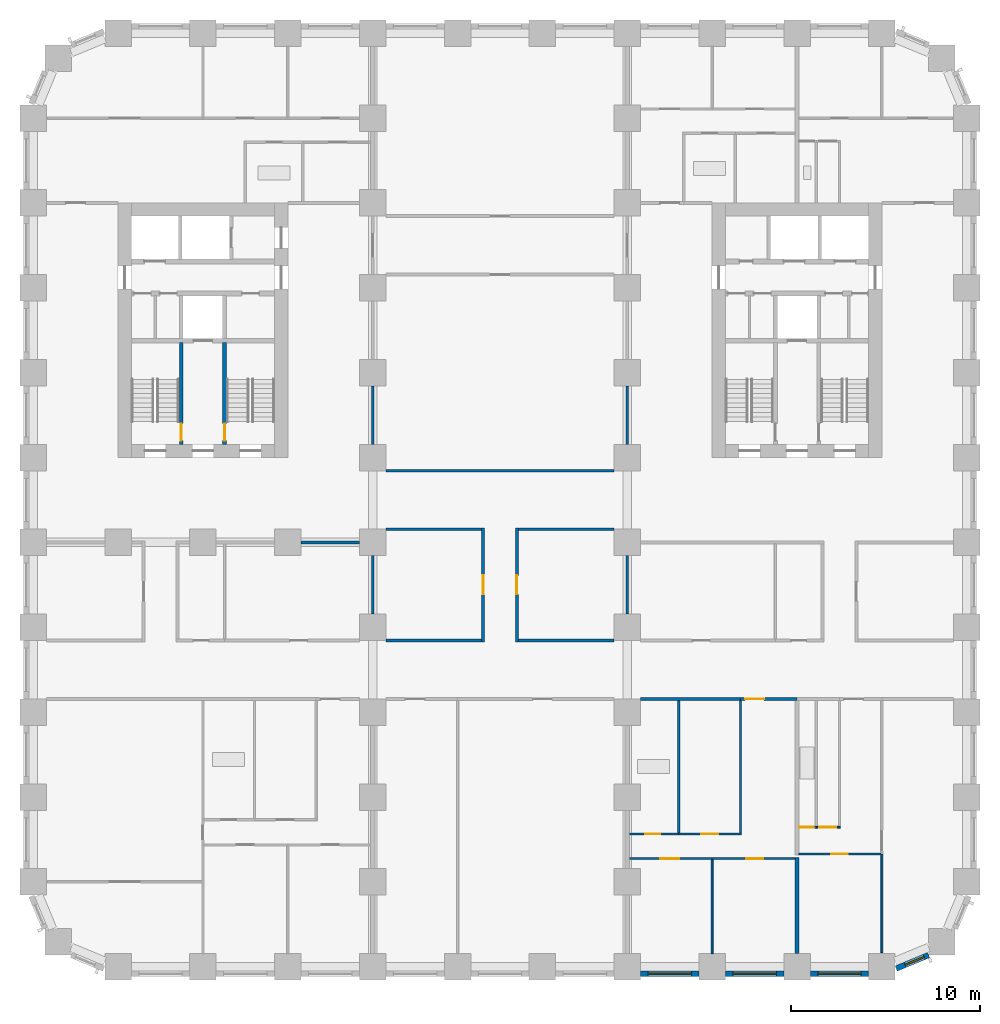
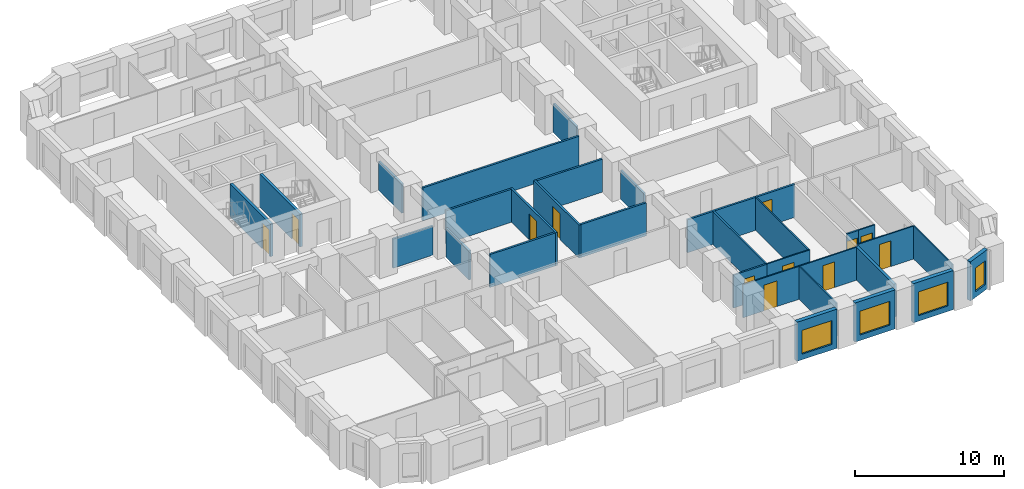
# One storey, part 4 of 12: 32 walls, 12 doors, 4 windows, 16 openings.
"""IFC4 building model written with IfcOpenShell, lengths in metres."""

import ifcopenshell
import ifcopenshell.guid

model = None  # the IFC model being written
_history = None  # IfcOwnerHistory: only IFC2X3 demands one
_inside = {}  # id of a spatial element -> (the spatial element, [elements in it])
_under = {}  # id of a project, library or spatial element -> (it, [spatial elements below it])
_declared = {}  # id of a project -> (the project, [libraries it declares])
_typed = {}  # id of a type object -> (the type object, [elements of that type])
_made_of = {}  # id of a material, layer set ... -> (it, [elements and type objects made of it])


def new_model(schema):
    """Start an empty IFC model of exactly this schema.

    Asked for "IFC4X3", IfcOpenShell would pick the latest addendum, in which some entities
    have other attributes; the version numbers below select the first issue.
    IFC2X3 requires an IfcOwnerHistory on every rooted entity: one is made here for all.
    """
    global model, _history
    if schema == "IFC4X3":
        model = ifcopenshell.file(schema_version=(4, 3, 0, 0))
    else:
        model = ifcopenshell.file(schema=schema)
    _inside.clear()
    _under.clear()
    _declared.clear()
    _typed.clear()
    _made_of.clear()
    _history = None
    if model.schema == "IFC2X3":
        org = make("IfcOrganization", Name="unknown")
        user = make(
            "IfcPersonAndOrganization",
            ThePerson=make("IfcPerson", FamilyName="unknown"),
            TheOrganization=org,
        )
        app = make(
            "IfcApplication",
            ApplicationDeveloper=org,
            Version="unknown",
            ApplicationFullName="unknown",
            ApplicationIdentifier="unknown",
        )
        _history = make(
            "IfcOwnerHistory",
            OwningUser=user,
            OwningApplication=app,
            ChangeAction="ADDED",
            CreationDate=0,
        )
    return model


def make(cls, **values):
    """One entity of the class cls with the attributes given. An attribute that is None is left unset."""
    return model.create_entity(
        cls, **{name: value for name, value in values.items() if value is not None}
    )


def rooted(cls, **values):
    """An entity with a GlobalId (a new one), such as an element, a storey or a relation."""
    return make(cls, GlobalId=ifcopenshell.guid.new(), OwnerHistory=_history, **values)


def si_unit(unit_type, name, prefix=None):
    """IfcSIUnit, for example si_unit("LENGTHUNIT", "METRE", prefix="MILLI")."""
    return make("IfcSIUnit", UnitType=unit_type, Prefix=prefix, Name=name)


def assignment(units):
    """IfcUnitAssignment: the units of a project."""
    return None if units is None else make("IfcUnitAssignment", Units=units)


def point(xyz):
    """IfcCartesianPoint."""
    return None if xyz is None else make("IfcCartesianPoint", Coordinates=xyz)


def direction(xyz):
    """IfcDirection."""
    return None if xyz is None else make("IfcDirection", DirectionRatios=xyz)


def frame(location, z_axis=None, x_axis=None):
    """IfcAxis2Placement3D, a coordinate frame: its origin and axes. An axis left out is left unset."""
    return make(
        "IfcAxis2Placement3D",
        Location=point(location),
        Axis=direction(z_axis),
        RefDirection=direction(x_axis),
    )


def frame_2d(location, x_axis=None):
    """IfcAxis2Placement2D, a coordinate frame in the plane: its origin and x axis."""
    return make(
        "IfcAxis2Placement2D", Location=point(location), RefDirection=direction(x_axis)
    )


def origin():
    """The frame at (0, 0, 0) with its axes left unset."""
    return frame((0.0, 0.0, 0.0))


def place(relative_to, where):
    """IfcLocalPlacement: puts the frame where relative to a parent placement (None: the world)."""
    return make(
        "IfcLocalPlacement", PlacementRelTo=relative_to, RelativePlacement=where
    )


def context(
    kind, dimensions, precision=None, world=None, true_north=None, identifier=None
):
    """IfcGeometricRepresentationContext, for example the 3D "Model" context."""
    return make(
        "IfcGeometricRepresentationContext",
        ContextIdentifier=identifier,
        ContextType=kind,
        CoordinateSpaceDimension=dimensions,
        Precision=precision,
        WorldCoordinateSystem=world,
        TrueNorth=true_north,
    )


def subcontext(parent, identifier, kind, view, scale=None):
    """IfcGeometricRepresentationSubContext, for example "Body" below "Model"."""
    return make(
        "IfcGeometricRepresentationSubContext",
        ContextIdentifier=identifier,
        ContextType=kind,
        ParentContext=parent,
        TargetScale=scale,
        TargetView=view,
    )


def project(units=None, contexts=None):
    """IfcProject with its units and contexts."""
    return rooted(
        "IfcProject",
        Name="project",
        RepresentationContexts=contexts,
        UnitsInContext=assignment(units),
    )


def spatial(cls, under=None, at=None, **own):
    """A site, building, storey or space (cls), placed at a placement, below another one or the project."""
    s = rooted(cls, ObjectPlacement=at, **own)
    if under is not None:
        _under.setdefault(under.id(), (under, []))[1].append(s)
    return s


def profile(cls, at=None, kind="AREA", **sizes):
    """A parametric profile (cls). Its sizes go by their IFC names, for example OverallWidth=200.0."""
    return make(cls, ProfileType=kind, Position=at, **sizes)


def rectangle(**sizes):
    """IfcRectangleProfileDef."""
    return profile("IfcRectangleProfileDef", **sizes)


def extrude(swept, where, along, depth):
    """IfcExtrudedAreaSolid: the profile swept, set in the frame where, extruded along a direction by depth."""
    return make(
        "IfcExtrudedAreaSolid",
        SweptArea=swept,
        Position=where,
        ExtrudedDirection=direction(along),
        Depth=depth,
    )


def shape(context_of_items, identifier, shape_type, items):
    """IfcShapeRepresentation: the items that make up one representation, for example the "Body"."""
    return make(
        "IfcShapeRepresentation",
        ContextOfItems=context_of_items,
        RepresentationIdentifier=identifier,
        RepresentationType=shape_type,
        Items=items,
    )


def material(Name=None, Category=None):
    """IfcMaterial."""
    return make("IfcMaterial", Name=Name, Category=Category)


def layer(
    of_material, thickness, ventilated=None, Name=None, Category=None, Priority=None
):
    """IfcMaterialLayer: one layer of a wall or slab, of a material (None: an air gap)."""
    return make(
        "IfcMaterialLayer",
        Material=of_material,
        LayerThickness=thickness,
        IsVentilated=ventilated,
        Name=Name,
        Category=Category,
        Priority=Priority,
    )


def layer_set(layers, Name=None):
    """IfcMaterialLayerSet."""
    return make("IfcMaterialLayerSet", MaterialLayers=layers, LayerSetName=Name)


def made_of(thing, what):
    """Note that an element or type object is made of a material, layer set ...; save() writes the relation."""
    if what is not None:
        _made_of.setdefault(what.id(), (what, []))[1].append(thing)
    return thing


def type_object(cls, material=None, **own):
    """A type object (cls), such as IfcWallType, which elements share."""
    return made_of(rooted(cls, **own), material)


def element(
    cls,
    number,
    at=None,
    inside=None,
    cuts=None,
    type_object=None,
    material=None,
    context=None,
    identifier="Body",
    shape_type=None,
    held_by="IfcProductDefinitionShape",
    body=None,
    shapes=None,
    **own,
):
    """One element of the class cls, such as IfcWall. Its Tag is "e" and its number.

    at: its placement. inside: the storey or other place that contains it. cuts: it is an
    opening in that element (IfcRelVoidsElement). A single representation is given by context,
    identifier, shape_type and body (its items); several are given by shapes. held_by: the class
    of the entity that holds the representations. save() writes the other relations.
    """
    e = rooted(cls, Tag="e%d" % number, ObjectPlacement=at, **own)
    if body is not None:
        shapes = [shape(context, identifier, shape_type, body)]
    if shapes is not None:
        e.Representation = make(held_by, Representations=shapes)
    if inside is not None:
        _inside.setdefault(inside.id(), (inside, []))[1].append(e)
    if cuts is not None:
        rooted(
            "IfcRelVoidsElement", RelatingBuildingElement=cuts, RelatedOpeningElement=e
        )
    if type_object is not None:
        _typed.setdefault(type_object.id(), (type_object, []))[1].append(e)
    return made_of(e, material)


def fill(opening, filler):
    """IfcRelFillsElement: the door or window that sits in an opening."""
    return rooted(
        "IfcRelFillsElement",
        RelatingOpeningElement=opening,
        RelatedBuildingElement=filler,
    )


def aggregate(whole, parts):
    """IfcRelAggregates: a whole, such as a stair, and the parts it consists of."""
    return rooted("IfcRelAggregates", RelatingObject=whole, RelatedObjects=parts)


def save(model, path):
    """Write the relations noted so far, then the file.

    IfcRelAggregates (storeys below a building ...), IfcRelContainedInSpatialStructure (elements
    in a storey), IfcRelDefinesByType, IfcRelAssociatesMaterial and IfcRelDeclares: one each for
    every whole, place, type object, material and project.
    """
    for whole, parts in _under.values():
        aggregate(whole, parts)
    for where, things in _inside.values():
        rooted(
            "IfcRelContainedInSpatialStructure",
            RelatedElements=things,
            RelatingStructure=where,
        )
    for kind, things in _typed.values():
        rooted("IfcRelDefinesByType", RelatedObjects=things, RelatingType=kind)
    for what, things in _made_of.values():
        rooted("IfcRelAssociatesMaterial", RelatedObjects=things, RelatingMaterial=what)
    for by, libraries in _declared.values():
        rooted("IfcRelDeclares", RelatingContext=by, RelatedDefinitions=libraries)
    model.write(path)


model = new_model("IFC4")

# Units and contexts
model_context = context("Model", 3, precision=1e-05, world=origin(), true_north=direction((0.0, 1.0)))
body_context = subcontext(model_context, "Body", "Model", "MODEL_VIEW")
ifc_project = project(units=[si_unit("LENGTHUNIT", "METRE"), si_unit("AREAUNIT", "SQUARE_METRE"), si_unit("VOLUMEUNIT", "CUBIC_METRE"), si_unit("PLANEANGLEUNIT", "RADIAN"), si_unit("MASSUNIT", "GRAM", prefix="KILO")], contexts=[model_context])

# Site, building, storey
site_placement = place(None, origin())
site = spatial("IfcSite", under=ifc_project, at=site_placement, CompositionType="ELEMENT")
building_placement = place(site_placement, origin())
building = spatial("IfcBuilding", under=site, at=building_placement, Name="Girih Gate Residences", CompositionType="ELEMENT")
storey_placement = place(building_placement, frame((0.0, 0.0, 72.0)))
storey = spatial("IfcBuildingStorey", under=building, at=storey_placement, Name="L19", CompositionType="ELEMENT", Elevation=72.0)

# Wall
ifc_material_1 = material(Name="Gypsum board on steel studs", Category="steel")
ifc_layer_1 = layer(ifc_material_1, 0.14990234375)
ifc_layer_set_1 = layer_set([ifc_layer_1], Name="Compartment wall 150 mm")
wall_type_1 = type_object("IfcWallType", Name="Compartment wall 150 mm", PredefinedType="PARTITIONING", material=ifc_layer_set_1)
wall_1_placement = place(storey_placement, frame((32.199951171875, 14.199951171875, 0.0), z_axis=(0.0, 0.0, 1.0), x_axis=(1.0, 0.0, 0.0)))
element("IfcWall", 1, at=wall_1_placement, inside=storey, type_object=wall_type_1, Name="L19 partition", PredefinedType="PARTITIONING", context=body_context, shape_type="SweptSolid", body=[
    extrude(rectangle(XDim=5.300048828125, YDim=0.14990234375, at=frame_2d((2.64990234375, 0.0))), origin(), (0.0, 0.0, 1.0), 2.699951171875),
])

# Wall, opening, door
wall_2_placement = place(storey_placement, frame((40.5, 14.199951171875, 0.0), z_axis=(0.0, 0.0, 1.0), x_axis=(-1.0, 0.0, 0.0)))
wall_2 = element("IfcWall", 2, at=wall_2_placement, inside=storey, type_object=wall_type_1, Name="L19 partition", PredefinedType="PARTITIONING", context=body_context, shape_type="SweptSolid", body=[
    extrude(rectangle(XDim=3.0, YDim=0.14990234375, at=frame_2d((1.5, 0.0))), origin(), (0.0, 0.0, 1.0), 2.699951171875),
])
opening_1_placement = place(wall_2_placement, frame((1.75, 0.0, 0.0)))
opening_1 = element("IfcOpeningElement", 3, at=opening_1_placement, cuts=wall_2, Name="Opening A19-023", PredefinedType="OPENING", context=body_context, shape_type="SweptSolid", body=[
    extrude(rectangle(XDim=1.0, YDim=2.10009765625, at=frame_2d((0.5, 1.050048828125))), frame((0.0, 0.0849609375, 0.0), z_axis=(0.0, -1.0, 0.0), x_axis=(1.0, 0.0, 0.0)), (0.0, 0.0, 1.0), 0.169921875),
])
ifc_material_2 = material(Name="Timber, fire-rated core", Category="wood")
door_type_1 = type_object("IfcDoorType", Name="Flat entrance door 1000x2100 FD30S", OperationType="NOTDEFINED", PredefinedType="DOOR", material=ifc_material_2)
door_1_placement = place(opening_1_placement, origin())
door_1 = element("IfcDoor", 4, at=door_1_placement, inside=storey, type_object=door_type_1, Name="Door A19-023", OperationType="SINGLE_SWING_RIGHT", OverallHeight=2.10009765625, OverallWidth=1.0, PredefinedType="DOOR", context=body_context, shape_type="SweptSolid", body=[
    extrude(rectangle(XDim=1.0, YDim=2.10009765625, at=frame_2d((0.5, 1.050048828125))), frame((0.0, 0.02490234375, 0.0), z_axis=(0.0, -1.0, 0.0), x_axis=(1.0, 0.0, 0.0)), (0.0, 0.0, 1.0), 0.050048828125),
])
fill(opening_1, door_1)

wall_3_placement = place(storey_placement, frame((23.85009765625, 17.22509765625, 0.0), z_axis=(0.0, 0.0, 1.0), x_axis=(0.0, 1.0, 0.0)))
wall_3 = element("IfcWall", 5, at=wall_3_placement, inside=storey, type_object=wall_type_1, Name="L19 partition", PredefinedType="PARTITIONING", context=body_context, shape_type="SweptSolid", body=[
    extrude(rectangle(XDim=6.0498046875, YDim=0.14990234375, at=frame_2d((3.02490234375, 0.0))), origin(), (0.0, 0.0, 1.0), 2.699951171875),
])
opening_2_placement = place(wall_3_placement, frame((2.52490234375, 0.0, 0.0)))
opening_2 = element("IfcOpeningElement", 6, at=opening_2_placement, cuts=wall_3, Name="Opening A19-040", PredefinedType="OPENING", context=body_context, shape_type="SweptSolid", body=[
    extrude(rectangle(XDim=1.0, YDim=2.10009765625, at=frame_2d((0.5, 1.050048828125))), frame((0.0, 0.0849609375, 0.0), z_axis=(0.0, -1.0, 0.0), x_axis=(1.0, 0.0, 0.0)), (0.0, 0.0, 1.0), 0.169921875),
])
door_type_2 = type_object("IfcDoorType", Name="Amenity room door 1000x2100 FD30S", OperationType="NOTDEFINED", PredefinedType="DOOR", material=ifc_material_2)
door_2_placement = place(opening_2_placement, origin())
door_2 = element("IfcDoor", 7, at=door_2_placement, inside=storey, type_object=door_type_2, Name="Door A19-040", OperationType="SINGLE_SWING_RIGHT", OverallHeight=2.10009765625, OverallWidth=1.0, PredefinedType="DOOR", context=body_context, shape_type="SweptSolid", body=[
    extrude(rectangle(XDim=1.0, YDim=2.10009765625, at=frame_2d((0.5, 1.050048828125))), frame((0.0, 0.02490234375, 0.0), z_axis=(0.0, -1.0, 0.0), x_axis=(1.0, 0.0, 0.0)), (0.0, 0.0, 1.0), 0.050048828125),
])
fill(opening_2, door_2)

wall_4_placement = place(storey_placement, frame((25.64990234375, 23.27490234375, 0.0), z_axis=(0.0, 0.0, 1.0), x_axis=(0.0, -1.0, 0.0)))
wall_4 = element("IfcWall", 8, at=wall_4_placement, inside=storey, type_object=wall_type_1, Name="L19 partition", PredefinedType="PARTITIONING", context=body_context, shape_type="SweptSolid", body=[
    extrude(rectangle(XDim=6.0498046875, YDim=0.14990234375, at=frame_2d((3.02490234375, 0.0))), origin(), (0.0, 0.0, 1.0), 2.699951171875),
])
opening_3_placement = place(wall_4_placement, frame((2.52490234375, 0.0, 0.0)))
opening_3 = element("IfcOpeningElement", 9, at=opening_3_placement, cuts=wall_4, Name="Opening A19-041", PredefinedType="OPENING", context=body_context, shape_type="SweptSolid", body=[
    extrude(rectangle(XDim=1.0, YDim=2.10009765625, at=frame_2d((0.5, 1.050048828125))), frame((0.0, 0.0849609375, 0.0), z_axis=(0.0, -1.0, 0.0), x_axis=(1.0, 0.0, 0.0)), (0.0, 0.0, 1.0), 0.169921875),
])
door_3_placement = place(opening_3_placement, origin())
door_3 = element("IfcDoor", 10, at=door_3_placement, inside=storey, type_object=door_type_2, Name="Door A19-041", OperationType="SINGLE_SWING_RIGHT", OverallHeight=2.10009765625, OverallWidth=1.0, PredefinedType="DOOR", context=body_context, shape_type="SweptSolid", body=[
    extrude(rectangle(XDim=1.0, YDim=2.10009765625, at=frame_2d((0.5, 1.050048828125))), frame((0.0, 0.02490234375, 0.0), z_axis=(0.0, -1.0, 0.0), x_axis=(1.0, 0.0, 0.0)), (0.0, 0.0, 1.0), 0.050048828125),
])
fill(opening_3, door_3)

# Walls
for number, where, z_axis, x_axis, name in (
    (11, (18.699951171875, 17.300048828125, 0.0), (0.0, 0.0, 1.0), (1.0, 0.0, 0.0), "L19 partition"),
    (12, (25.72509765625, 17.300048828125, 0.0), (0.0, 0.0, 1.0), (1.0, 0.0, 0.0), "L19 partition"),
):
    element("IfcWall", number, at=place(storey_placement, frame(where, z_axis=z_axis, x_axis=x_axis)), inside=storey, type_object=wall_type_1, Name=name, PredefinedType="PARTITIONING", context=body_context, shape_type="SweptSolid", body=[
        extrude(rectangle(XDim=5.074951171875, YDim=0.14990234375, at=frame_2d((2.53759765625, 0.0))), origin(), (0.0, 0.0, 1.0), 2.699951171875),
    ])
for number, where, z_axis, x_axis, name in (
    (13, (31.5, 27.699951171875, 0.0), (0.0, 0.0, 1.0), (0.0, 1.0, 0.0), "L19 partition"),
    (14, (18.0, 27.699951171875, 0.0), (0.0, 0.0, 1.0), (0.0, 1.0, 0.0), "L19 partition"),
):
    element("IfcWall", number, at=place(storey_placement, frame(where, z_axis=z_axis, x_axis=x_axis)), inside=storey, type_object=wall_type_1, Name=name, PredefinedType="PARTITIONING", context=body_context, shape_type="SweptSolid", body=[
        extrude(rectangle(XDim=3.10009765625, YDim=0.14990234375, at=frame_2d((1.550048828125, 0.0))), origin(), (0.0, 0.0, 1.0), 2.3798828125),
    ])
wall_5_placement = place(storey_placement, frame((18.699951171875, 26.300048828125, 0.0), z_axis=(0.0, 0.0, 1.0), x_axis=(1.0, 0.0, 0.0)))
element("IfcWall", 15, at=wall_5_placement, inside=storey, type_object=wall_type_1, Name="L19 partition", PredefinedType="PARTITIONING", context=body_context, shape_type="SweptSolid", body=[
    extrude(rectangle(XDim=12.10009765625, YDim=0.14990234375, at=frame_2d((6.050048828125, 0.0))), origin(), (0.0, 0.0, 1.0), 2.699951171875),
])
wall_6_placement = place(storey_placement, frame((18.699951171875, 23.199951171875, 0.0), z_axis=(0.0, 0.0, 1.0), x_axis=(1.0, 0.0, 0.0)))
element("IfcWall", 16, at=wall_6_placement, inside=storey, type_object=wall_type_1, Name="L19 partition", PredefinedType="PARTITIONING", context=body_context, shape_type="SweptSolid", body=[
    extrude(rectangle(XDim=5.074951171875, YDim=0.14990234375, at=frame_2d((2.53759765625, 0.0))), origin(), (0.0, 0.0, 1.0), 2.699951171875),
])
wall_7_placement = place(storey_placement, frame((18.0, 18.699951171875, 0.0), z_axis=(0.0, 0.0, 1.0), x_axis=(0.0, 1.0, 0.0)))
element("IfcWall", 17, at=wall_7_placement, inside=storey, type_object=wall_type_1, Name="L19 partition", PredefinedType="PARTITIONING", context=body_context, shape_type="SweptSolid", body=[
    extrude(rectangle(XDim=3.10009765625, YDim=0.14990234375, at=frame_2d((1.550048828125, 0.0))), origin(), (0.0, 0.0, 1.0), 2.3798828125),
])
wall_8_placement = place(storey_placement, frame((25.72509765625, 23.199951171875, 0.0), z_axis=(0.0, 0.0, 1.0), x_axis=(1.0, 0.0, 0.0)))
element("IfcWall", 18, at=wall_8_placement, inside=storey, type_object=wall_type_1, Name="L19 partition", PredefinedType="PARTITIONING", context=body_context, shape_type="SweptSolid", body=[
    extrude(rectangle(XDim=5.074951171875, YDim=0.14990234375, at=frame_2d((2.53759765625, 0.0))), origin(), (0.0, 0.0, 1.0), 2.699951171875),
])
for number, where, z_axis, x_axis, name in (
    (19, (31.5, 18.699951171875, 0.0), (0.0, 0.0, 1.0), (0.0, 1.0, 0.0), "L19 partition"),
    (20, (14.199951171875, 22.5, 0.0), (0.0, 0.0, 1.0), (1.0, 0.0, 0.0), "L19 partition"),
):
    element("IfcWall", number, at=place(storey_placement, frame(where, z_axis=z_axis, x_axis=x_axis)), inside=storey, type_object=wall_type_1, Name=name, PredefinedType="PARTITIONING", context=body_context, shape_type="SweptSolid", body=[
        extrude(rectangle(XDim=3.10009765625, YDim=0.14990234375, at=frame_2d((1.550048828125, 0.0))), origin(), (0.0, 0.0, 1.0), 2.3798828125),
    ])

# Wall, opening, door
ifc_layer_2 = layer(ifc_material_1, 0.10009765625)
ifc_layer_set_2 = layer_set([ifc_layer_2], Name="Partition 100 mm")
wall_type_2 = type_object("IfcWallType", Name="Partition 100 mm", PredefinedType="PARTITIONING", material=ifc_layer_set_2)
wall_9_placement = place(storey_placement, frame((44.949951171875, 5.97998046875, 0.0), z_axis=(0.0, 0.0, 1.0), x_axis=(-1.0, 0.0, 0.0)))
wall_9 = element("IfcWall", 21, at=wall_9_placement, inside=storey, type_object=wall_type_2, Name="L19 partition", PredefinedType="PARTITIONING", context=body_context, shape_type="SweptSolid", body=[
    extrude(rectangle(XDim=4.349853515625, YDim=0.10009765625, at=frame_2d((2.1748046875, 0.0))), origin(), (0.0, 0.0, 1.0), 2.699951171875),
])
opening_4_placement = place(wall_9_placement, frame((1.75, 0.0, 0.0)))
opening_4 = element("IfcOpeningElement", 22, at=opening_4_placement, cuts=wall_9, Name="Opening A19-015", PredefinedType="OPENING", context=body_context, shape_type="SweptSolid", body=[
    extrude(rectangle(XDim=0.89990234375, YDim=2.10009765625, at=frame_2d((0.449951171875, 1.050048828125))), frame((0.0, 0.06005859375, 0.0), z_axis=(0.0, -1.0, 0.0), x_axis=(1.0, 0.0, 0.0)), (0.0, 0.0, 1.0), 0.1201171875),
])
ifc_material_3 = material(Name="Timber", Category="wood")
door_type_3 = type_object("IfcDoorType", Name="Bedroom door 900x2100", OperationType="NOTDEFINED", PredefinedType="DOOR", material=ifc_material_3)
door_4_placement = place(opening_4_placement, origin())
door_4 = element("IfcDoor", 23, at=door_4_placement, inside=storey, type_object=door_type_3, Name="Door A19-015", OperationType="SINGLE_SWING_RIGHT", OverallHeight=2.10009765625, OverallWidth=0.89990234375, PredefinedType="DOOR", context=body_context, shape_type="SweptSolid", body=[
    extrude(rectangle(XDim=0.89990234375, YDim=2.10009765625, at=frame_2d((0.449951171875, 1.050048828125))), frame((0.0, 0.02490234375, 0.0), z_axis=(0.0, -1.0, 0.0), x_axis=(1.0, 0.0, 0.0)), (0.0, 0.0, 1.0), 0.050048828125),
])
fill(opening_4, door_4)

# Wall
wall_10_placement = place(storey_placement, frame((45.0, 0.757568359375, 0.0), z_axis=(0.0, 0.0, 1.0), x_axis=(0.0, 1.0, 0.0)))
element("IfcWall", 24, at=wall_10_placement, inside=storey, type_object=wall_type_2, Name="L19 partition", PredefinedType="PARTITIONING", context=body_context, shape_type="SweptSolid", body=[
    extrude(rectangle(XDim=5.222412109375, YDim=0.10009765625, at=frame_2d((2.611328125, 0.0))), origin(), (0.0, 0.0, 1.0), 2.699951171875),
])

# Wall, opening, door
wall_11_placement = place(storey_placement, frame((41.522705078125, 7.39990234375, 0.0), z_axis=(0.0, 0.0, 1.0), x_axis=(1.0, 0.0, 0.0)))
wall_11 = element("IfcWall", 25, at=wall_11_placement, inside=storey, type_object=wall_type_2, Name="L19 partition", PredefinedType="PARTITIONING", context=body_context, shape_type="SweptSolid", body=[
    extrude(rectangle(XDim=1.27734375, YDim=0.10009765625, at=frame_2d((0.638671875, 0.0))), origin(), (0.0, 0.0, 1.0), 2.699951171875),
])
opening_5_placement = place(wall_11_placement, frame((0.16357421875, 0.0, 0.0)))
opening_5 = element("IfcOpeningElement", 26, at=opening_5_placement, cuts=wall_11, Name="Opening A19-016", PredefinedType="OPENING", context=body_context, shape_type="SweptSolid", body=[
    extrude(rectangle(XDim=0.89990234375, YDim=2.10009765625, at=frame_2d((0.449951171875, 1.050048828125))), frame((0.0, 0.06005859375, 0.0), z_axis=(0.0, -1.0, 0.0), x_axis=(1.0, 0.0, 0.0)), (0.0, 0.0, 1.0), 0.1201171875),
])
door_type_4 = type_object("IfcDoorType", Name="Kitchen door 900x2100", OperationType="NOTDEFINED", PredefinedType="DOOR", material=ifc_material_3)
door_5_placement = place(opening_5_placement, origin())
door_5 = element("IfcDoor", 27, at=door_5_placement, inside=storey, type_object=door_type_4, Name="Door A19-016", OperationType="SINGLE_SWING_LEFT", OverallHeight=2.10009765625, OverallWidth=0.89990234375, PredefinedType="DOOR", context=body_context, shape_type="SweptSolid", body=[
    extrude(rectangle(XDim=0.89990234375, YDim=2.10009765625, at=frame_2d((0.449951171875, 1.050048828125))), frame((0.0, 0.02490234375, 0.0), z_axis=(0.0, -1.0, 0.0), x_axis=(1.0, 0.0, 0.0)), (0.0, 0.0, 1.0), 0.050048828125),
])
fill(opening_5, door_5)

wall_12_placement = place(storey_placement, frame((40.39990234375, 5.739990234375, 0.0), z_axis=(0.0, 0.0, 1.0), x_axis=(-1.0, 0.0, 0.0)))
wall_12 = element("IfcWall", 28, at=wall_12_placement, inside=storey, type_object=wall_type_2, Name="L19 partition", PredefinedType="PARTITIONING", context=body_context, shape_type="SweptSolid", body=[
    extrude(rectangle(XDim=4.39990234375, YDim=0.10009765625, at=frame_2d((2.199951171875, 0.0))), origin(), (0.0, 0.0, 1.0), 2.699951171875),
])
opening_6_placement = place(wall_12_placement, frame((1.699951171875, 0.0, 0.0)))
opening_6 = element("IfcOpeningElement", 29, at=opening_6_placement, cuts=wall_12, Name="Opening A19-020", PredefinedType="OPENING", context=body_context, shape_type="SweptSolid", body=[
    extrude(rectangle(XDim=0.89990234375, YDim=2.10009765625, at=frame_2d((0.449951171875, 1.050048828125))), frame((0.0, 0.06005859375, 0.0), z_axis=(0.0, -1.0, 0.0), x_axis=(1.0, 0.0, 0.0)), (0.0, 0.0, 1.0), 0.1201171875),
])
door_6_placement = place(opening_6_placement, origin())
door_6 = element("IfcDoor", 30, at=door_6_placement, inside=storey, type_object=door_type_3, Name="Door A19-020", OperationType="SINGLE_SWING_LEFT", OverallHeight=2.10009765625, OverallWidth=0.89990234375, PredefinedType="DOOR", context=body_context, shape_type="SweptSolid", body=[
    extrude(rectangle(XDim=0.89990234375, YDim=2.10009765625, at=frame_2d((0.449951171875, 1.050048828125))), frame((0.0, 0.02490234375, 0.0), z_axis=(0.0, -1.0, 0.0), x_axis=(1.0, 0.0, 0.0)), (0.0, 0.0, 1.0), 0.050048828125),
])
fill(opening_6, door_6)

# Wall
wall_13_placement = place(storey_placement, frame((36.0, 0.699951171875, 0.0), z_axis=(0.0, 0.0, 1.0), x_axis=(0.0, 1.0, 0.0)))
element("IfcWall", 31, at=wall_13_placement, inside=storey, type_object=wall_type_2, Name="L19 partition", PredefinedType="PARTITIONING", context=body_context, shape_type="SweptSolid", body=[
    extrude(rectangle(XDim=4.989990234375, YDim=0.10009765625, at=frame_2d((2.4951171875, 0.0))), origin(), (0.0, 0.0, 1.0), 2.699951171875),
])

# Wall, opening, door
wall_14_placement = place(storey_placement, frame((34.21923828125, 7.0400390625, 0.0), z_axis=(0.0, 0.0, 1.0), x_axis=(1.0, 0.0, 0.0)))
wall_14 = element("IfcWall", 32, at=wall_14_placement, inside=storey, type_object=wall_type_2, Name="L19 partition", PredefinedType="PARTITIONING", context=body_context, shape_type="SweptSolid", body=[
    extrude(rectangle(XDim=3.330810546875, YDim=0.10009765625, at=frame_2d((1.66552734375, 0.0))), origin(), (0.0, 0.0, 1.0), 2.699951171875),
])
opening_7_placement = place(wall_14_placement, frame((1.190185546875, 0.0, 0.0)))
opening_7 = element("IfcOpeningElement", 33, at=opening_7_placement, cuts=wall_14, Name="Opening A19-021", PredefinedType="OPENING", context=body_context, shape_type="SweptSolid", body=[
    extrude(rectangle(XDim=0.89990234375, YDim=2.10009765625, at=frame_2d((0.449951171875, 1.050048828125))), frame((0.0, 0.06005859375, 0.0), z_axis=(0.0, -1.0, 0.0), x_axis=(1.0, 0.0, 0.0)), (0.0, 0.0, 1.0), 0.1201171875),
])
door_7_placement = place(opening_7_placement, origin())
door_7 = element("IfcDoor", 34, at=door_7_placement, inside=storey, type_object=door_type_4, Name="Door A19-021", OperationType="SINGLE_SWING_LEFT", OverallHeight=2.10009765625, OverallWidth=0.89990234375, PredefinedType="DOOR", context=body_context, shape_type="SweptSolid", body=[
    extrude(rectangle(XDim=0.89990234375, YDim=2.10009765625, at=frame_2d((0.449951171875, 1.050048828125))), frame((0.0, 0.02490234375, 0.0), z_axis=(0.0, -1.0, 0.0), x_axis=(1.0, 0.0, 0.0)), (0.0, 0.0, 1.0), 0.050048828125),
])
fill(opening_7, door_7)

# Wall
wall_15_placement = place(storey_placement, frame((37.5, 7.090087890625, 0.0), z_axis=(0.0, 0.0, 1.0), x_axis=(0.0, 1.0, 0.0)))
element("IfcWall", 35, at=wall_15_placement, inside=storey, type_object=wall_type_2, Name="L19 partition", PredefinedType="PARTITIONING", context=body_context, shape_type="SweptSolid", body=[
    extrude(rectangle(XDim=7.034912109375, YDim=0.10009765625, at=frame_2d((3.517578125, 0.0))), origin(), (0.0, 0.0, 1.0), 2.699951171875),
])

# Wall, opening, door
wall_16_placement = place(storey_placement, frame((36.0, 5.739990234375, 0.0), z_axis=(0.0, 0.0, 1.0), x_axis=(-1.0, 0.0, 0.0)))
wall_16 = element("IfcWall", 36, at=wall_16_placement, inside=storey, type_object=wall_type_2, Name="L19 partition", PredefinedType="PARTITIONING", context=body_context, shape_type="SweptSolid", body=[
    extrude(rectangle(XDim=4.375, YDim=0.10009765625, at=frame_2d((2.1875, 0.0))), origin(), (0.0, 0.0, 1.0), 2.699951171875),
])
opening_8_placement = place(wall_16_placement, frame((1.75, 0.0, 0.0)))
opening_8 = element("IfcOpeningElement", 37, at=opening_8_placement, cuts=wall_16, Name="Opening A19-022", PredefinedType="OPENING", context=body_context, shape_type="SweptSolid", body=[
    extrude(rectangle(XDim=1.0, YDim=2.10009765625, at=frame_2d((0.5, 1.050048828125))), frame((0.0, 0.06005859375, 0.0), z_axis=(0.0, -1.0, 0.0), x_axis=(1.0, 0.0, 0.0)), (0.0, 0.0, 1.0), 0.1201171875),
])
door_type_5 = type_object("IfcDoorType", Name="Living room door 1000x2100", OperationType="NOTDEFINED", PredefinedType="DOOR", material=ifc_material_3)
door_8_placement = place(opening_8_placement, origin())
door_8 = element("IfcDoor", 38, at=door_8_placement, inside=storey, type_object=door_type_5, Name="Door A19-022", OperationType="SINGLE_SWING_RIGHT", OverallHeight=2.10009765625, OverallWidth=1.0, PredefinedType="DOOR", context=body_context, shape_type="SweptSolid", body=[
    extrude(rectangle(XDim=1.0, YDim=2.10009765625, at=frame_2d((0.5, 1.050048828125))), frame((0.0, 0.02490234375, 0.0), z_axis=(0.0, -1.0, 0.0), x_axis=(1.0, 0.0, 0.0)), (0.0, 0.0, 1.0), 0.050048828125),
])
fill(opening_8, door_8)

# Wall
ifc_layer_3 = layer(ifc_material_1, 0.199951171875)
ifc_layer_set_3 = layer_set([ifc_layer_3], Name="Party wall 200 mm")
wall_type_3 = type_object("IfcWallType", Name="Party wall 200 mm", PredefinedType="PARTITIONING", material=ifc_layer_set_3)
wall_17_placement = place(storey_placement, frame((40.5, 0.699951171875, 0.0), z_axis=(0.0, 0.0, 1.0), x_axis=(0.0, 1.0, 0.0)))
element("IfcWall", 39, at=wall_17_placement, inside=storey, type_object=wall_type_3, Name="L19 partition", PredefinedType="PARTITIONING", context=body_context, shape_type="SweptSolid", body=[
    extrude(rectangle(XDim=5.090087890625, YDim=0.199951171875, at=frame_2d((2.544921875, 0.0))), origin(), (0.0, 0.0, 1.0), 2.699951171875),
])

# Wall, opening, window
ifc_material_4 = material(Name="Precast concrete C50/60", Category="concrete")
ifc_layer_4 = layer(ifc_material_4, 0.080078125, Name="Outer leaf")
ifc_material_5 = material(Name="Rigid PIR insulation")
ifc_layer_5 = layer(ifc_material_5, 0.14990234375, Name="Insulation")
ifc_material_6 = material(Name="Precast concrete C40/50", Category="concrete")
ifc_layer_6 = layer(ifc_material_6, 0.070068359375, Name="Inner leaf")
ifc_layer_set_4 = layer_set([ifc_layer_4, ifc_layer_5, ifc_layer_6], Name="Precast concrete C50/60 external wall 300")
wall_type_4 = type_object("IfcWallType", Name="Precast concrete C50/60 external wall 300", PredefinedType="SOLIDWALL", material=ifc_layer_set_4)
wall_18_placement = place(storey_placement, frame((35.300048828125, -0.375, 0.0), z_axis=(0.0, 0.0, 1.0), x_axis=(-1.0, 0.0, 0.0)))
wall_18 = element("IfcWall", 40, at=wall_18_placement, inside=storey, type_object=wall_type_4, Name="External wall S0045_0000.6", PredefinedType="SOLIDWALL", context=body_context, shape_type="SweptSolid", body=[
    extrude(rectangle(XDim=3.10009765625, YDim=0.300048828125, at=frame_2d((1.550048828125, 0.0))), origin(), (0.0, 0.0, 1.0), 3.199951171875),
])
opening_9_placement = place(wall_18_placement, frame((0.39990234375, 0.0, 0.449951171875)))
opening_9 = element("IfcOpeningElement", 41, at=opening_9_placement, cuts=wall_18, Name="Opening W-1", PredefinedType="OPENING", context=body_context, shape_type="SweptSolid", body=[
    extrude(rectangle(XDim=2.300048828125, YDim=1.949951171875, at=frame_2d((1.14990234375, 0.97509765625))), frame((0.0, 0.159912109375, 0.0), z_axis=(0.0, -1.0, 0.0), x_axis=(1.0, 0.0, 0.0)), (0.0, 0.0, 1.0), 0.320068359375),
])
ifc_material_7 = material(Name="Double glazing in aluminium frame", Category="aluminium")
window_type_1 = type_object("IfcWindowType", Name="Window W-1 2300x1950", PartitioningType="SINGLE_PANEL", PredefinedType="WINDOW", material=ifc_material_7)
window_1_placement = place(opening_9_placement, origin())
window_1 = element("IfcWindow", 42, at=window_1_placement, inside=storey, type_object=window_type_1, Name="Window W-1 S0045_0000.6", OverallHeight=1.949951171875, OverallWidth=2.300048828125, PartitioningType="SINGLE_PANEL", PredefinedType="WINDOW", context=body_context, shape_type="SweptSolid", body=[
    extrude(rectangle(XDim=2.300048828125, YDim=1.949951171875, at=frame_2d((1.14990234375, 0.97509765625))), frame((0.0, 0.030029296875, 0.0), z_axis=(0.0, -1.0, 0.0), x_axis=(1.0, 0.0, 0.0)), (0.0, 0.0, 1.0), 0.06005859375),
])
fill(opening_9, window_1)

wall_19_placement = place(storey_placement, frame((39.800048828125, -0.375, 0.0), z_axis=(0.0, 0.0, 1.0), x_axis=(-1.0, 0.0, 0.0)))
wall_19 = element("IfcWall", 43, at=wall_19_placement, inside=storey, type_object=wall_type_4, Name="External wall S0045_0000.7", PredefinedType="SOLIDWALL", context=body_context, shape_type="SweptSolid", body=[
    extrude(rectangle(XDim=3.10009765625, YDim=0.300048828125, at=frame_2d((1.550048828125, 0.0))), origin(), (0.0, 0.0, 1.0), 3.199951171875),
])
opening_10_placement = place(wall_19_placement, frame((0.39990234375, 0.0, 0.449951171875)))
opening_10 = element("IfcOpeningElement", 44, at=opening_10_placement, cuts=wall_19, Name="Opening W-1", PredefinedType="OPENING", context=body_context, shape_type="SweptSolid", body=[
    extrude(rectangle(XDim=2.300048828125, YDim=1.949951171875, at=frame_2d((1.14990234375, 0.97509765625))), frame((0.0, 0.159912109375, 0.0), z_axis=(0.0, -1.0, 0.0), x_axis=(1.0, 0.0, 0.0)), (0.0, 0.0, 1.0), 0.320068359375),
])
window_2_placement = place(opening_10_placement, origin())
window_2 = element("IfcWindow", 45, at=window_2_placement, inside=storey, type_object=window_type_1, Name="Window W-1 S0045_0000.7", OverallHeight=1.949951171875, OverallWidth=2.300048828125, PartitioningType="SINGLE_PANEL", PredefinedType="WINDOW", context=body_context, shape_type="SweptSolid", body=[
    extrude(rectangle(XDim=2.300048828125, YDim=1.949951171875, at=frame_2d((1.14990234375, 0.97509765625))), frame((0.0, 0.030029296875, 0.0), z_axis=(0.0, -1.0, 0.0), x_axis=(1.0, 0.0, 0.0)), (0.0, 0.0, 1.0), 0.06005859375),
])
fill(opening_10, window_2)

wall_20_placement = place(storey_placement, frame((44.300048828125, -0.375, 0.0), z_axis=(0.0, 0.0, 1.0), x_axis=(-1.0, 0.0, 0.0)))
wall_20 = element("IfcWall", 46, at=wall_20_placement, inside=storey, type_object=wall_type_4, Name="External wall S0045_0000.8", PredefinedType="SOLIDWALL", context=body_context, shape_type="SweptSolid", body=[
    extrude(rectangle(XDim=3.10009765625, YDim=0.300048828125, at=frame_2d((1.550048828125, 0.0))), origin(), (0.0, 0.0, 1.0), 3.199951171875),
])
opening_11_placement = place(wall_20_placement, frame((0.39990234375, 0.0, 0.449951171875)))
opening_11 = element("IfcOpeningElement", 47, at=opening_11_placement, cuts=wall_20, Name="Opening W-1", PredefinedType="OPENING", context=body_context, shape_type="SweptSolid", body=[
    extrude(rectangle(XDim=2.300048828125, YDim=1.949951171875, at=frame_2d((1.14990234375, 0.97509765625))), frame((0.0, 0.159912109375, 0.0), z_axis=(0.0, -1.0, 0.0), x_axis=(1.0, 0.0, 0.0)), (0.0, 0.0, 1.0), 0.320068359375),
])
window_3_placement = place(opening_11_placement, origin())
window_3 = element("IfcWindow", 48, at=window_3_placement, inside=storey, type_object=window_type_1, Name="Window W-1 S0045_0000.8", OverallHeight=1.949951171875, OverallWidth=2.300048828125, PartitioningType="SINGLE_PANEL", PredefinedType="WINDOW", context=body_context, shape_type="SweptSolid", body=[
    extrude(rectangle(XDim=2.300048828125, YDim=1.949951171875, at=frame_2d((1.14990234375, 0.97509765625))), frame((0.0, 0.030029296875, 0.0), z_axis=(0.0, -1.0, 0.0), x_axis=(1.0, 0.0, 0.0)), (0.0, 0.0, 1.0), 0.06005859375),
])
fill(opening_11, window_3)

wall_21_placement = place(storey_placement, frame((47.48046875, 0.62158203125, 0.0), z_axis=(0.0, 0.0, 1.0), x_axis=(-0.923903565336, -0.38262540684, 0.0)))
wall_21 = element("IfcWall", 49, at=wall_21_placement, inside=storey, type_object=wall_type_4, Name="External wall SE0450_0000.0", PredefinedType="SOLIDWALL", context=body_context, shape_type="SweptSolid", body=[
    extrude(rectangle(XDim=1.864990234375, YDim=0.300048828125, at=frame_2d((0.9326171875, 0.0))), origin(), (0.0, 0.0, 1.0), 3.199951171875),
])
opening_12_placement = place(wall_21_placement, frame((0.257568359375, 0.0, 0.449951171875)))
opening_12 = element("IfcOpeningElement", 50, at=opening_12_placement, cuts=wall_21, Name="Opening W-2C", PredefinedType="OPENING", context=body_context, shape_type="SweptSolid", body=[
    extrude(rectangle(XDim=1.10009765625, YDim=1.949951171875, at=frame_2d((0.550048828125, 0.97509765625))), frame((0.0, 0.159912109375, 0.0), z_axis=(0.0, -1.0, 0.0), x_axis=(1.0, 0.0, 0.0)), (0.0, 0.0, 1.0), 0.320068359375),
])
window_type_2 = type_object("IfcWindowType", Name="Window W-2C 1100x1950", PartitioningType="SINGLE_PANEL", PredefinedType="WINDOW", material=ifc_material_7)
window_4_placement = place(opening_12_placement, origin())
window_4 = element("IfcWindow", 51, at=window_4_placement, inside=storey, type_object=window_type_2, Name="Window W-2C SE0450_0000.0", OverallHeight=1.949951171875, OverallWidth=1.10009765625, PartitioningType="SINGLE_PANEL", PredefinedType="WINDOW", context=body_context, shape_type="SweptSolid", body=[
    extrude(rectangle(XDim=1.10009765625, YDim=1.949951171875, at=frame_2d((0.550048828125, 0.97509765625))), frame((0.0, 0.030029296875, 0.0), z_axis=(0.0, -1.0, 0.0), x_axis=(1.0, 0.0, 0.0)), (0.0, 0.0, 1.0), 0.06005859375),
])
fill(opening_12, window_4)

# Wall, opening, door
ifc_material_8 = material(Name="Concrete C40/50", Category="concrete")
ifc_layer_7 = layer(ifc_material_8, 0.199951171875)
ifc_layer_set_5 = layer_set([ifc_layer_7], Name="Shaft wall 200")
wall_type_5 = type_object("IfcWallType", Name="Shaft wall 200", PredefinedType="SOLIDWALL", material=ifc_layer_set_5)
wall_22_placement = place(storey_placement, frame((7.85009765625, 27.699951171875, 0.0), z_axis=(0.0, 0.0, 1.0), x_axis=(0.0, 1.0, 0.0)))
wall_22 = element("IfcWall", 52, at=wall_22_placement, inside=storey, type_object=wall_type_5, Name="L19 W core wall V1a", PredefinedType="SOLIDWALL", context=body_context, shape_type="SweptSolid", body=[
    extrude(rectangle(XDim=5.400146484375, YDim=0.199951171875, at=frame_2d((2.7001953125, 0.0))), origin(), (0.0, 0.0, 1.0), 2.699951171875),
])
opening_13_placement = place(wall_22_placement, frame((0.199951171875, 0.0, 0.0)))
opening_13 = element("IfcOpeningElement", 53, at=opening_13_placement, cuts=wall_22, Name="Opening D-L19-W-001", PredefinedType="OPENING", context=body_context, shape_type="SweptSolid", body=[
    extrude(rectangle(XDim=0.89990234375, YDim=2.10009765625, at=frame_2d((0.449951171875, 1.050048828125))), frame((0.0, 0.10986328125, 0.0), z_axis=(0.0, -1.0, 0.0), x_axis=(1.0, 0.0, 0.0)), (0.0, 0.0, 1.0), 0.219970703125),
])
ifc_material_9 = material(Name="Painted steel, fire-resisting", Category="steel")
door_type_6 = type_object("IfcDoorType", Name="Fire door 900x2100", OperationType="SINGLE_SWING_LEFT", PredefinedType="DOOR", material=ifc_material_9)
door_9_placement = place(opening_13_placement, origin())
door_9 = element("IfcDoor", 54, at=door_9_placement, inside=storey, type_object=door_type_6, Name="L19 W door stair 1 to firefighting lobby", OperationType="SINGLE_SWING_LEFT", OverallHeight=2.10009765625, OverallWidth=0.89990234375, PredefinedType="DOOR", context=body_context, shape_type="SweptSolid", body=[
    extrude(rectangle(XDim=0.89990234375, YDim=2.10009765625, at=frame_2d((0.449951171875, 1.050048828125))), frame((0.0, 0.02490234375, 0.0), z_axis=(0.0, -1.0, 0.0), x_axis=(1.0, 0.0, 0.0)), (0.0, 0.0, 1.0), 0.050048828125),
])
fill(opening_13, door_9)

wall_23_placement = place(storey_placement, frame((10.14990234375, 27.699951171875, 0.0), z_axis=(0.0, 0.0, 1.0), x_axis=(0.0, 1.0, 0.0)))
wall_23 = element("IfcWall", 55, at=wall_23_placement, inside=storey, type_object=wall_type_5, Name="L19 W core wall V2a", PredefinedType="SOLIDWALL", context=body_context, shape_type="SweptSolid", body=[
    extrude(rectangle(XDim=5.400146484375, YDim=0.199951171875, at=frame_2d((2.7001953125, 0.0))), origin(), (0.0, 0.0, 1.0), 2.699951171875),
])
opening_14_placement = place(wall_23_placement, frame((0.199951171875, 0.0, 0.0)))
opening_14 = element("IfcOpeningElement", 56, at=opening_14_placement, cuts=wall_23, Name="Opening D-L19-W-002", PredefinedType="OPENING", context=body_context, shape_type="SweptSolid", body=[
    extrude(rectangle(XDim=0.89990234375, YDim=2.10009765625, at=frame_2d((0.449951171875, 1.050048828125))), frame((0.0, 0.10986328125, 0.0), z_axis=(0.0, -1.0, 0.0), x_axis=(1.0, 0.0, 0.0)), (0.0, 0.0, 1.0), 0.219970703125),
])
door_10_placement = place(opening_14_placement, origin())
door_10 = element("IfcDoor", 57, at=door_10_placement, inside=storey, type_object=door_type_6, Name="L19 W door stair 2 to firefighting lobby", OperationType="SINGLE_SWING_LEFT", OverallHeight=2.10009765625, OverallWidth=0.89990234375, PredefinedType="DOOR", context=body_context, shape_type="SweptSolid", body=[
    extrude(rectangle(XDim=0.89990234375, YDim=2.10009765625, at=frame_2d((0.449951171875, 1.050048828125))), frame((0.0, 0.02490234375, 0.0), z_axis=(0.0, -1.0, 0.0), x_axis=(1.0, 0.0, 0.0)), (0.0, 0.0, 1.0), 0.050048828125),
])
fill(opening_14, door_10)

ifc_layer_8 = layer(ifc_material_1, 0.125)
ifc_layer_set_6 = layer_set([ifc_layer_8], Name="Wet room wall 125 mm")
wall_type_6 = type_object("IfcWallType", Name="Wet room wall 125 mm", PredefinedType="PARTITIONING", material=ifc_layer_set_6)
wall_24_placement = place(storey_placement, frame((40.60009765625, 7.39990234375, 0.0), z_axis=(0.0, 0.0, 1.0), x_axis=(1.0, 0.0, 0.0)))
wall_24 = element("IfcWall", 58, at=wall_24_placement, inside=storey, type_object=wall_type_6, Name="L19 partition", PredefinedType="PARTITIONING", context=body_context, shape_type="SweptSolid", body=[
    extrude(rectangle(XDim=0.922607421875, YDim=0.125, at=frame_2d((0.46142578125, 0.0))), origin(), (0.0, 0.0, 1.0), 2.699951171875),
])
opening_15_placement = place(wall_24_placement, frame((0.011474609375, 0.0, 0.0)))
opening_15 = element("IfcOpeningElement", 59, at=opening_15_placement, cuts=wall_24, Name="Opening A19-014", PredefinedType="OPENING", context=body_context, shape_type="SweptSolid", body=[
    extrude(rectangle(XDim=0.800048828125, YDim=2.10009765625, at=frame_2d((0.39990234375, 1.050048828125))), frame((0.0, 0.072509765625, 0.0), z_axis=(0.0, -1.0, 0.0), x_axis=(1.0, 0.0, 0.0)), (0.0, 0.0, 1.0), 0.14501953125),
])
door_type_7 = type_object("IfcDoorType", Name="Bathroom door 800x2100", OperationType="NOTDEFINED", PredefinedType="DOOR", material=ifc_material_3)
door_11_placement = place(opening_15_placement, origin())
door_11 = element("IfcDoor", 60, at=door_11_placement, inside=storey, type_object=door_type_7, Name="Door A19-014", OperationType="SINGLE_SWING_LEFT", OverallHeight=2.10009765625, OverallWidth=0.800048828125, PredefinedType="DOOR", context=body_context, shape_type="SweptSolid", body=[
    extrude(rectangle(XDim=0.800048828125, YDim=2.10009765625, at=frame_2d((0.39990234375, 1.050048828125))), frame((0.0, 0.02490234375, 0.0), z_axis=(0.0, -1.0, 0.0), x_axis=(1.0, 0.0, 0.0)), (0.0, 0.0, 1.0), 0.050048828125),
])
fill(opening_15, door_11)

wall_25_placement = place(storey_placement, frame((31.625, 7.0400390625, 0.0), z_axis=(0.0, 0.0, 1.0), x_axis=(1.0, 0.0, 0.0)))
wall_25 = element("IfcWall", 61, at=wall_25_placement, inside=storey, type_object=wall_type_6, Name="L19 partition", PredefinedType="PARTITIONING", context=body_context, shape_type="SweptSolid", body=[
    extrude(rectangle(XDim=2.59423828125, YDim=0.125, at=frame_2d((1.297119140625, 0.0))), origin(), (0.0, 0.0, 1.0), 2.699951171875),
])
opening_16_placement = place(wall_25_placement, frame((0.834716796875, 0.0, 0.0)))
opening_16 = element("IfcOpeningElement", 62, at=opening_16_placement, cuts=wall_25, Name="Opening A19-019", PredefinedType="OPENING", context=body_context, shape_type="SweptSolid", body=[
    extrude(rectangle(XDim=0.800048828125, YDim=2.10009765625, at=frame_2d((0.39990234375, 1.050048828125))), frame((0.0, 0.072509765625, 0.0), z_axis=(0.0, -1.0, 0.0), x_axis=(1.0, 0.0, 0.0)), (0.0, 0.0, 1.0), 0.14501953125),
])
door_12_placement = place(opening_16_placement, origin())
door_12 = element("IfcDoor", 63, at=door_12_placement, inside=storey, type_object=door_type_7, Name="Door A19-019", OperationType="SINGLE_SWING_LEFT", OverallHeight=2.10009765625, OverallWidth=0.800048828125, PredefinedType="DOOR", context=body_context, shape_type="SweptSolid", body=[
    extrude(rectangle(XDim=0.800048828125, YDim=2.10009765625, at=frame_2d((0.39990234375, 1.050048828125))), frame((0.0, 0.02490234375, 0.0), z_axis=(0.0, -1.0, 0.0), x_axis=(1.0, 0.0, 0.0)), (0.0, 0.0, 1.0), 0.050048828125),
])
fill(opening_16, door_12)

# Wall
wall_26_placement = place(storey_placement, frame((34.218994140625, 7.1025390625, 0.0), z_axis=(0.0, 0.0, 1.0), x_axis=(0.0, 1.0, 0.0)))
element("IfcWall", 64, at=wall_26_placement, inside=storey, type_object=wall_type_6, Name="L19 partition", PredefinedType="PARTITIONING", context=body_context, shape_type="SweptSolid", body=[
    extrude(rectangle(XDim=7.0224609375, YDim=0.125, at=frame_2d((3.51123046875, 0.0))), origin(), (0.0, 0.0, 1.0), 2.699951171875),
])

save(model, "model.ifc")
